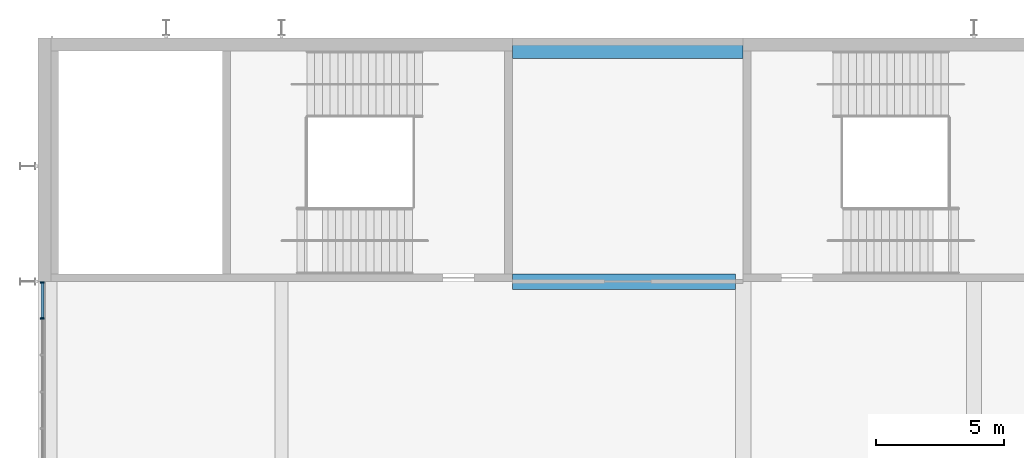
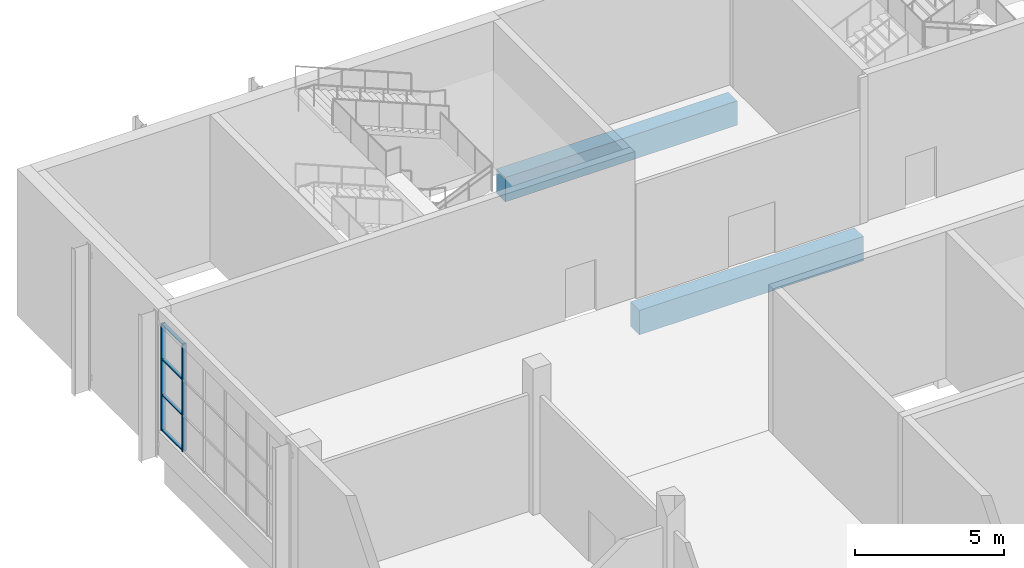
# One storey, part 24 of 89: 6 members, 2 beams, 1 element without a shape of its own.
"""IFC4 building model written with IfcOpenShell, lengths in metres."""

from ifc_helpers import new_model, si_unit, direction, frame, origin, origin_2d, place, context, subcontext, project, spatial, rectangle, extrude, material, material_profile, profile_set, type_object, element, aggregate, save


model = new_model("IFC4")

# Units and contexts
model_context = context("Model", 3, precision=1e-05, world=origin(), true_north=direction((0.0, 1.0)))
body_context = subcontext(model_context, "Body", "Model", "MODEL_VIEW")
ifc_project = project(units=[si_unit("LENGTHUNIT", "METRE"), si_unit("AREAUNIT", "SQUARE_METRE"), si_unit("VOLUMEUNIT", "CUBIC_METRE"), si_unit("PLANEANGLEUNIT", "RADIAN"), si_unit("MASSUNIT", "GRAM", prefix="KILO")], contexts=[model_context])

# Site, building, storey
site_placement = place(None, origin())
site = spatial("IfcSite", under=ifc_project, at=site_placement, CompositionType="ELEMENT")
building_placement = place(site_placement, origin())
building = spatial("IfcBuilding", under=site, at=building_placement, Name="Silverbay Arena", CompositionType="ELEMENT")
storey_placement = place(building_placement, frame((0.0, 0.0, 22.0)))
storey = spatial("IfcBuildingStorey", under=building, at=storey_placement, Name="L03", CompositionType="ELEMENT", Elevation=22.0)

# Curtain wall, members
ifc_material_1 = material(Name="Aluminium framed curtain wall", Category="aluminium")
curtain_wall_type = type_object("IfcCurtainWallType", Name="Curtain wall 8600 x 4400", PredefinedType="NOTDEFINED", material=ifc_material_1)
curtain_wall_placement = place(storey_placement, origin())
curtain_wall = element("IfcCurtainWall", 1, at=curtain_wall_placement, inside=storey, type_object=curtain_wall_type, Name="West curtain wall L03 bay 13", PredefinedType="NOTDEFINED")
ifc_material_2 = material(Name="Aluminium", Category="aluminium")
ifc_material_profile_1 = material_profile(ifc_material_2, rectangle(XDim=0.159912109375, YDim=0.06005859375, at=origin_2d()), Name="Mullion 60 x 160")
ifc_profile_set_1 = profile_set([ifc_material_profile_1], Name="Aluminium")
member_type_1 = type_object("IfcMemberType", Name="Mullion 60 x 160", PredefinedType="MULLION", material=ifc_profile_set_1)
member_1_placement = place(storey_placement, frame((53.669921875, 134.969970703125, 1.0), z_axis=(0.0, 0.0, 1.0), x_axis=(1.0, 0.0, 0.0)))
member_1 = element("IfcMember", 2, at=member_1_placement, type_object=member_type_1, Name="CW12 mullion 1", PredefinedType="MULLION", context=body_context, shape_type="SweptSolid", body=[
    extrude(rectangle(XDim=0.159912109375, YDim=0.06005859375, at=origin_2d()), origin(), (0.0, 0.0, 1.0), 4.39990234375),
])
member_2_placement = place(storey_placement, frame((53.669921875, 133.566650390625, 1.0), z_axis=(0.0, 0.0, 1.0), x_axis=(1.0, 0.0, 0.0)))
member_2 = element("IfcMember", 3, at=member_2_placement, type_object=member_type_1, Name="CW12 mullion 2", PredefinedType="MULLION", context=body_context, shape_type="SweptSolid", body=[
    extrude(rectangle(XDim=0.159912109375, YDim=0.06005859375, at=origin_2d()), origin(), (0.0, 0.0, 1.0), 4.39990234375),
])

# Beams
ifc_material_3 = material(Name="Concrete Grade C45", Category="concrete")
ifc_material_profile_2 = material_profile(ifc_material_3, rectangle(XDim=0.60009765625, YDim=1.0, at=origin_2d()), Name="RC 600x1000")
ifc_profile_set_2 = profile_set([ifc_material_profile_2], Name="Concrete Grade C45")
beam_type = type_object("IfcBeamType", Name="RC beam 600x1000", PredefinedType="BEAM", material=ifc_profile_set_2)
beam_1_placement = place(storey_placement, frame((72.0, 135.0, -0.85009765625), z_axis=(1.0, 0.0, 0.0), x_axis=(0.0, 1.0, 0.0)))
element("IfcBeam", 4, at=beam_1_placement, inside=storey, type_object=beam_type, Name="Floor beam L03 073", PredefinedType="BEAM", context=body_context, shape_type="SweptSolid", body=[
    extrude(rectangle(XDim=0.60009765625, YDim=1.0, at=origin_2d()), origin(), (0.0, 0.0, 1.0), 8.699951171875),
])
beam_2_placement = place(storey_placement, frame((72.0, 144.0, -0.85009765625), z_axis=(1.0, 0.0, 0.0), x_axis=(0.0, 1.0, 0.0)))
element("IfcBeam", 5, at=beam_2_placement, inside=storey, type_object=beam_type, Name="Floor beam L03 078", PredefinedType="BEAM", context=body_context, shape_type="SweptSolid", body=[
    extrude(rectangle(XDim=0.60009765625, YDim=1.0, at=origin_2d()), origin(), (0.0, 0.0, 1.0), 9.0),
])

# Member
ifc_material_4 = material(Name="Aluminium", Category="aluminium")
ifc_material_profile_3 = material_profile(ifc_material_4, rectangle(XDim=0.1201171875, YDim=0.050048828125, at=origin_2d()), Name="Transom 50 x 120")
ifc_profile_set_3 = profile_set([ifc_material_profile_3], Name="Aluminium")
member_type_2 = type_object("IfcMemberType", Name="Transom 50 x 120", PredefinedType="USERDEFINED", material=ifc_profile_set_3)
member_3_placement = place(storey_placement, frame((53.669921875, 134.93994140625, 1.02490234375), z_axis=(0.0, -1.0, 0.0), x_axis=(1.0, 0.0, 0.0)))
member_3 = element("IfcMember", 6, at=member_3_placement, type_object=member_type_2, Name="CW12 transom 1.1", ObjectType="TRANSOM", PredefinedType="USERDEFINED", context=body_context, shape_type="SweptSolid", body=[
    extrude(rectangle(XDim=0.1201171875, YDim=0.050048828125, at=origin_2d()), origin(), (0.0, 0.0, 1.0), 1.34326171875),
])

member_4_placement = place(storey_placement, frame((53.669921875, 134.93994140625, 2.466552734375), z_axis=(0.0, -1.0, 0.0), x_axis=(1.0, 0.0, 0.0)))
member_4 = element("IfcMember", 7, at=member_4_placement, type_object=member_type_2, Name="CW12 transom 1.2", ObjectType="TRANSOM", PredefinedType="USERDEFINED", context=body_context, shape_type="SweptSolid", body=[
    extrude(rectangle(XDim=0.1201171875, YDim=0.050048828125, at=origin_2d()), origin(), (0.0, 0.0, 1.0), 1.34326171875),
])

member_5_placement = place(storey_placement, frame((53.669921875, 134.93994140625, 3.933349609375), z_axis=(0.0, -1.0, 0.0), x_axis=(1.0, 0.0, 0.0)))
member_5 = element("IfcMember", 8, at=member_5_placement, type_object=member_type_2, Name="CW12 transom 1.3", ObjectType="TRANSOM", PredefinedType="USERDEFINED", context=body_context, shape_type="SweptSolid", body=[
    extrude(rectangle(XDim=0.1201171875, YDim=0.050048828125, at=origin_2d()), origin(), (0.0, 0.0, 1.0), 1.34326171875),
])

member_6_placement = place(storey_placement, frame((53.669921875, 134.93994140625, 5.375), z_axis=(0.0, -1.0, 0.0), x_axis=(1.0, 0.0, 0.0)))
member_6 = element("IfcMember", 9, at=member_6_placement, type_object=member_type_2, Name="CW12 transom 1.4", ObjectType="TRANSOM", PredefinedType="USERDEFINED", context=body_context, shape_type="SweptSolid", body=[
    extrude(rectangle(XDim=0.1201171875, YDim=0.050048828125, at=origin_2d()), origin(), (0.0, 0.0, 1.0), 1.34326171875),
])

aggregate(curtain_wall, [member_1, member_2, member_3, member_4, member_5, member_6])

save(model, "model.ifc")
